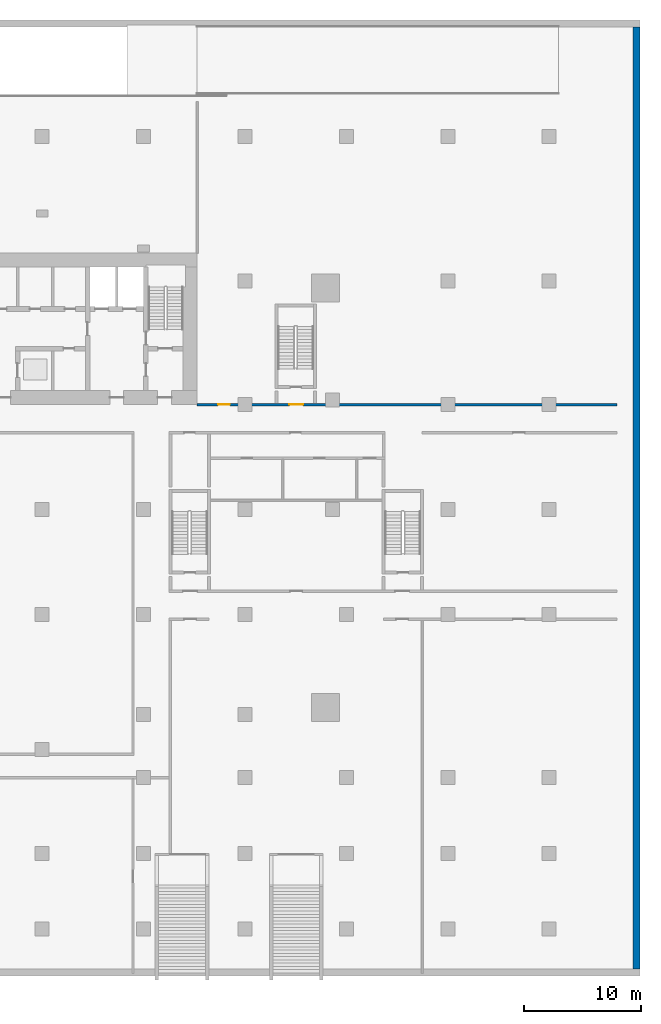
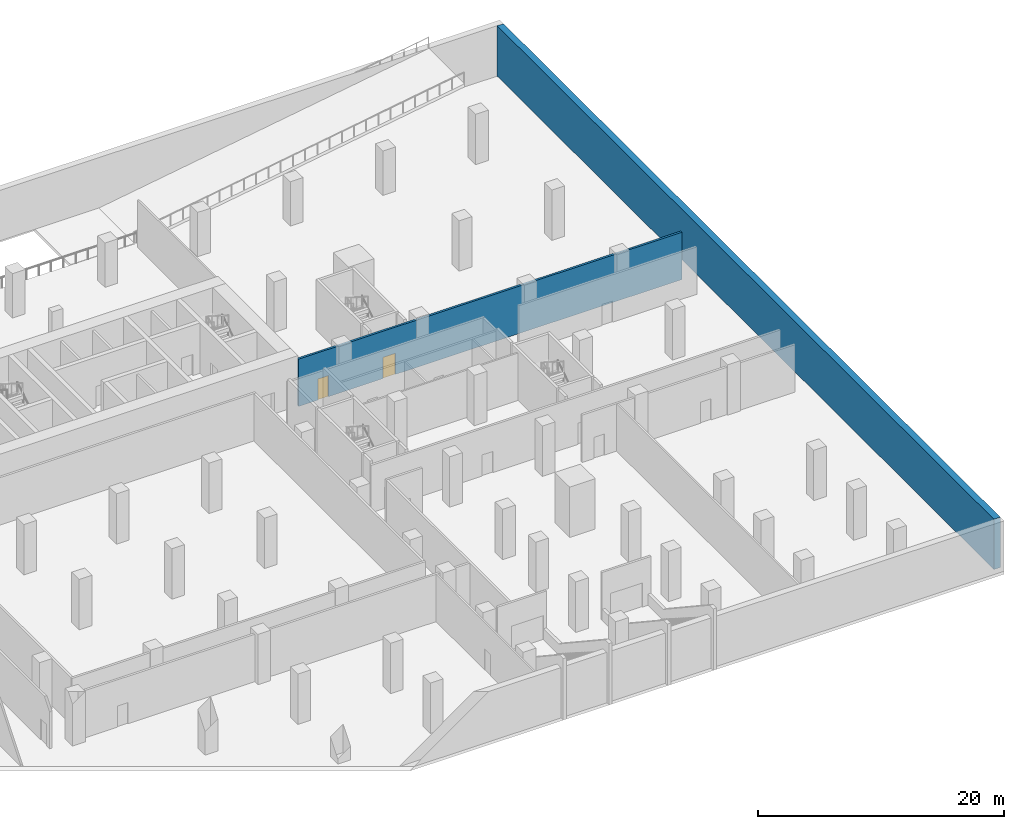
# One storey, part 10 of 16: 2 doors, 2 walls, 2 openings.
"""IFC4 building model written with IfcOpenShell, lengths in metres."""

from ifc_helpers import new_model, si_unit, direction, frame, frame_2d, origin, place, context, subcontext, project, spatial, rectangle, extrude, material, layer, layer_set, type_object, element, fill, save


model = new_model("IFC4")

# Units and contexts
model_context = context("Model", 3, precision=1e-05, world=origin(), true_north=direction((0.0, 1.0)))
body_context = subcontext(model_context, "Body", "Model", "MODEL_VIEW")
ifc_project = project(units=[si_unit("LENGTHUNIT", "METRE"), si_unit("AREAUNIT", "SQUARE_METRE"), si_unit("VOLUMEUNIT", "CUBIC_METRE"), si_unit("PLANEANGLEUNIT", "RADIAN"), si_unit("MASSUNIT", "GRAM", prefix="KILO")], contexts=[model_context])

# Site, building, storey
site_placement = place(None, origin())
site = spatial("IfcSite", under=ifc_project, at=site_placement, CompositionType="ELEMENT")
building_placement = place(site_placement, origin())
building = spatial("IfcBuilding", under=site, at=building_placement, Name="Bicima Exchange Tower", CompositionType="ELEMENT")
storey_placement = place(building_placement, frame((0.0, 0.0, -5.0)))
storey = spatial("IfcBuildingStorey", under=building, at=storey_placement, Name="B1", CompositionType="ELEMENT", Elevation=-5.0)

# Wall
ifc_material_1 = material(Name="Concrete C40/50", Category="concrete")
ifc_layer_1 = layer(ifc_material_1, 0.60009765625)
ifc_layer_set_1 = layer_set([ifc_layer_1], Name="Concrete C40/50")
wall_type_1 = type_object("IfcWallType", Name="Basement retaining wall 600", PredefinedType="SOLIDWALL", material=ifc_layer_set_1)
wall_1_placement = place(storey_placement, frame((59.699951171875, -61.39990234375, 0.0), z_axis=(0.0, 0.0, 1.0), x_axis=(0.0, 1.0, 0.0)))
element("IfcWall", 1, at=wall_1_placement, inside=storey, type_object=wall_type_1, Name="Retaining wall east", PredefinedType="SOLIDWALL", context=body_context, shape_type="SweptSolid", body=[
    extrude(rectangle(XDim=80.7998046875, YDim=0.60009765625, at=frame_2d((40.39990234375, 0.0))), origin(), (0.0, 0.0, 1.0), 5.0),
])

# Wall, openings, doors
ifc_material_2 = material(Name="Gypsum board partition")
ifc_layer_2 = layer(ifc_material_2, 0.199951171875)
ifc_layer_set_2 = layer_set([ifc_layer_2], Name="Gypsum board partition")
wall_type_2 = type_object("IfcWallType", Name="Fire-rated gypsum partition 200 EI60", PredefinedType="PARTITIONING", material=ifc_layer_set_2)
wall_2_placement = place(storey_placement, frame((22.0, -13.0, 0.0), z_axis=(0.0, 0.0, 1.0), x_axis=(1.0, 0.0, 0.0)))
wall_2 = element("IfcWall", 2, at=wall_2_placement, inside=storey, type_object=wall_type_2, Name="partition wall 23", PredefinedType="PARTITIONING", context=body_context, shape_type="SweptSolid", body=[
    extrude(rectangle(XDim=36.0, YDim=0.199951171875, at=frame_2d((18.0, 0.0))), origin(), (0.0, 0.0, 1.0), 4.699951171875),
])
opening_1_placement = place(wall_2_placement, frame((7.89990234375, 0.0, 0.0)))
opening_1 = element("IfcOpeningElement", 3, at=opening_1_placement, cuts=wall_2, Name="Opening B1-011", PredefinedType="OPENING", context=body_context, shape_type="SweptSolid", body=[
    extrude(rectangle(XDim=1.199951171875, YDim=2.10009765625, at=frame_2d((0.60009765625, 1.050048828125))), frame((0.0, 0.11181640625, 0.0), z_axis=(0.0, -1.0, 0.0), x_axis=(1.0, 0.0, 0.0)), (0.0, 0.0, 1.0), 0.223876953125),
])
opening_2_placement = place(wall_2_placement, frame((1.800048828125, 0.0, 0.0)))
opening_2 = element("IfcOpeningElement", 4, at=opening_2_placement, cuts=wall_2, Name="Opening B1-016", PredefinedType="OPENING", context=body_context, shape_type="SweptSolid", body=[
    extrude(rectangle(XDim=1.0, YDim=2.10009765625, at=frame_2d((0.5, 1.050048828125))), frame((0.0, 0.11181640625, 0.0), z_axis=(0.0, -1.0, 0.0), x_axis=(1.0, 0.0, 0.0)), (0.0, 0.0, 1.0), 0.223876953125),
])
ifc_material_3 = material(Name="Steel fire door leaf", Category="steel")
door_type_1 = type_object("IfcDoorType", Name="Door 1000 swing FD30S", OperationType="SINGLE_SWING_LEFT", PredefinedType="DOOR", material=ifc_material_3)
door_1_placement = place(opening_2_placement, origin())
door_1 = element("IfcDoor", 5, at=door_1_placement, inside=storey, type_object=door_type_1, Name="Door", OperationType="SINGLE_SWING_LEFT", OverallHeight=2.10009765625, OverallWidth=1.0, PredefinedType="DOOR", context=body_context, shape_type="SweptSolid", body=[
    extrude(rectangle(XDim=1.0, YDim=2.10009765625, at=frame_2d((0.5, 1.050048828125))), frame((0.0, 0.02490234375, 0.0), z_axis=(0.0, -1.0, 0.0), x_axis=(1.0, 0.0, 0.0)), (0.0, 0.0, 1.0), 0.050048828125),
])
fill(opening_2, door_1)
door_type_2 = type_object("IfcDoorType", Name="Door 1200 swing FD30S", OperationType="SINGLE_SWING_LEFT", PredefinedType="DOOR", material=ifc_material_3)
door_2_placement = place(opening_1_placement, origin())
door_2 = element("IfcDoor", 6, at=door_2_placement, inside=storey, type_object=door_type_2, Name="Door", OperationType="SINGLE_SWING_LEFT", OverallHeight=2.10009765625, OverallWidth=1.199951171875, PredefinedType="DOOR", context=body_context, shape_type="SweptSolid", body=[
    extrude(rectangle(XDim=1.199951171875, YDim=2.10009765625, at=frame_2d((0.60009765625, 1.050048828125))), frame((0.0, 0.02490234375, 0.0), z_axis=(0.0, -1.0, 0.0), x_axis=(1.0, 0.0, 0.0)), (0.0, 0.0, 1.0), 0.050048828125),
])
fill(opening_1, door_2)

save(model, "model.ifc")
